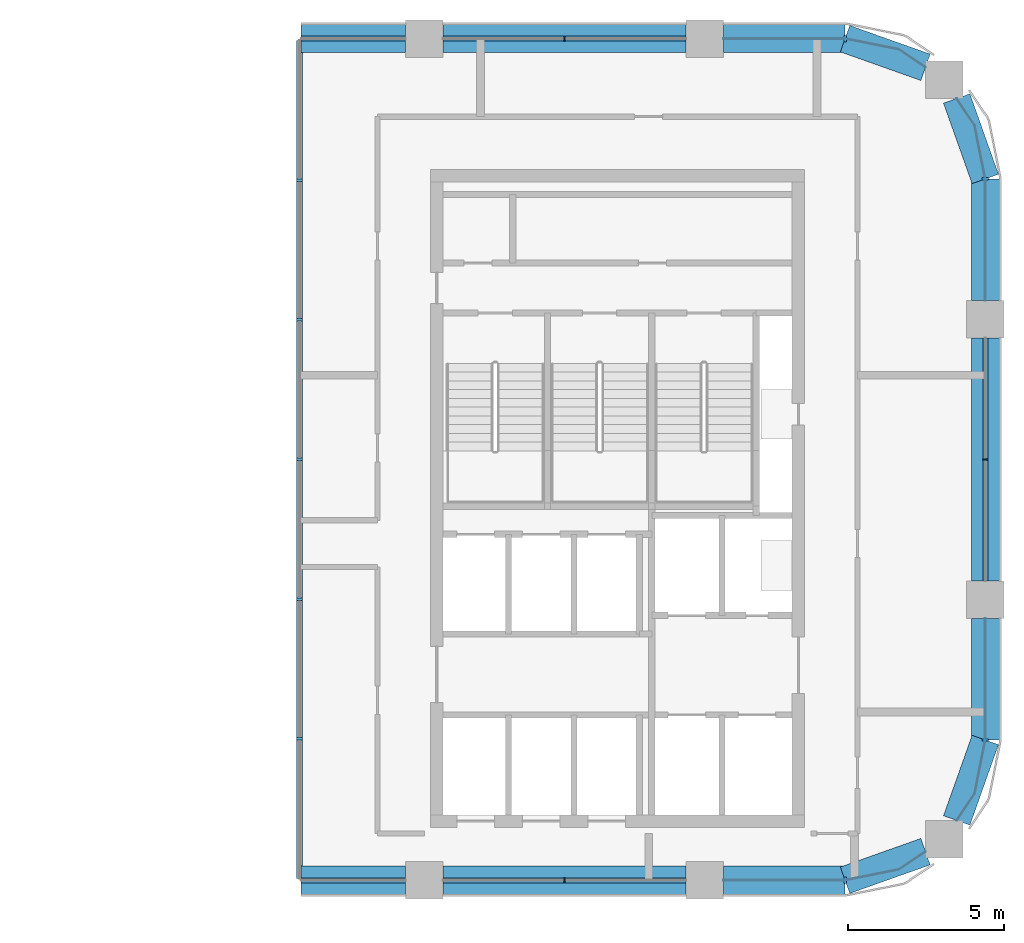
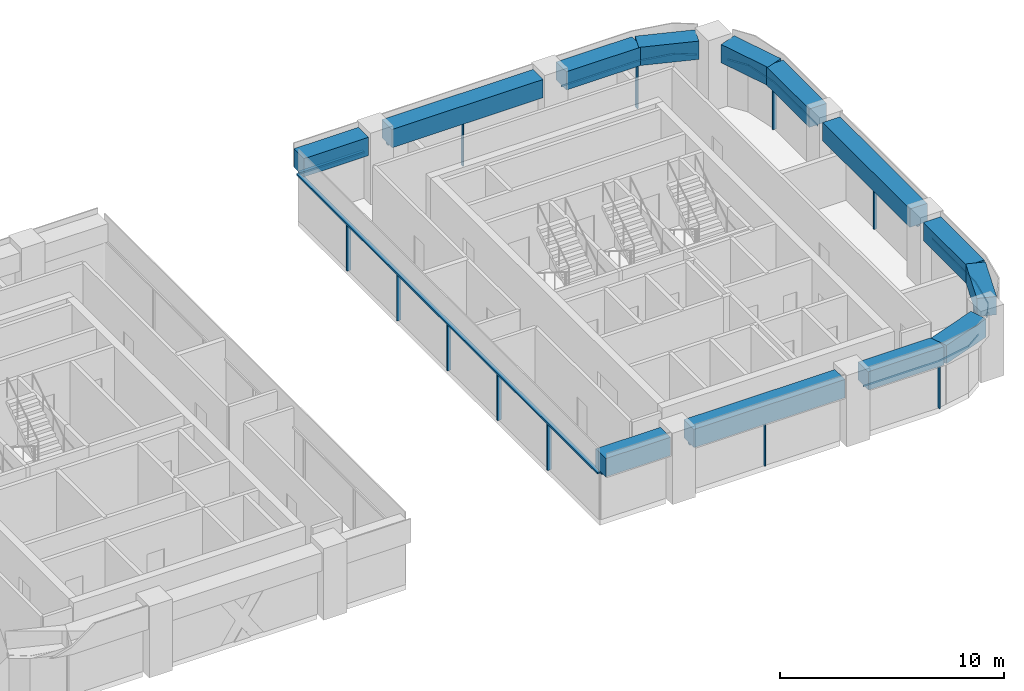
# One storey, part 3 of 12: 22 members, 13 beams, 10 elements without a shape of their own.
"""IFC4 building model written with IfcOpenShell, lengths in metres."""

import ifcopenshell
import ifcopenshell.guid

model = None  # the IFC model being written
_history = None  # IfcOwnerHistory: only IFC2X3 demands one
_inside = {}  # id of a spatial element -> (the spatial element, [elements in it])
_under = {}  # id of a project, library or spatial element -> (it, [spatial elements below it])
_declared = {}  # id of a project -> (the project, [libraries it declares])
_typed = {}  # id of a type object -> (the type object, [elements of that type])
_made_of = {}  # id of a material, layer set ... -> (it, [elements and type objects made of it])


def new_model(schema):
    """Start an empty IFC model of exactly this schema.

    Asked for "IFC4X3", IfcOpenShell would pick the latest addendum, in which some entities
    have other attributes; the version numbers below select the first issue.
    IFC2X3 requires an IfcOwnerHistory on every rooted entity: one is made here for all.
    """
    global model, _history
    if schema == "IFC4X3":
        model = ifcopenshell.file(schema_version=(4, 3, 0, 0))
    else:
        model = ifcopenshell.file(schema=schema)
    _inside.clear()
    _under.clear()
    _declared.clear()
    _typed.clear()
    _made_of.clear()
    _history = None
    if model.schema == "IFC2X3":
        org = make("IfcOrganization", Name="unknown")
        user = make(
            "IfcPersonAndOrganization",
            ThePerson=make("IfcPerson", FamilyName="unknown"),
            TheOrganization=org,
        )
        app = make(
            "IfcApplication",
            ApplicationDeveloper=org,
            Version="unknown",
            ApplicationFullName="unknown",
            ApplicationIdentifier="unknown",
        )
        _history = make(
            "IfcOwnerHistory",
            OwningUser=user,
            OwningApplication=app,
            ChangeAction="ADDED",
            CreationDate=0,
        )
    return model


def make(cls, **values):
    """One entity of the class cls with the attributes given. An attribute that is None is left unset."""
    return model.create_entity(
        cls, **{name: value for name, value in values.items() if value is not None}
    )


def rooted(cls, **values):
    """An entity with a GlobalId (a new one), such as an element, a storey or a relation."""
    return make(cls, GlobalId=ifcopenshell.guid.new(), OwnerHistory=_history, **values)


def si_unit(unit_type, name, prefix=None):
    """IfcSIUnit, for example si_unit("LENGTHUNIT", "METRE", prefix="MILLI")."""
    return make("IfcSIUnit", UnitType=unit_type, Prefix=prefix, Name=name)


def assignment(units):
    """IfcUnitAssignment: the units of a project."""
    return None if units is None else make("IfcUnitAssignment", Units=units)


def point(xyz):
    """IfcCartesianPoint."""
    return None if xyz is None else make("IfcCartesianPoint", Coordinates=xyz)


def direction(xyz):
    """IfcDirection."""
    return None if xyz is None else make("IfcDirection", DirectionRatios=xyz)


def frame(location, z_axis=None, x_axis=None):
    """IfcAxis2Placement3D, a coordinate frame: its origin and axes. An axis left out is left unset."""
    return make(
        "IfcAxis2Placement3D",
        Location=point(location),
        Axis=direction(z_axis),
        RefDirection=direction(x_axis),
    )


def frame_2d(location, x_axis=None):
    """IfcAxis2Placement2D, a coordinate frame in the plane: its origin and x axis."""
    return make(
        "IfcAxis2Placement2D", Location=point(location), RefDirection=direction(x_axis)
    )


def origin():
    """The frame at (0, 0, 0) with its axes left unset."""
    return frame((0.0, 0.0, 0.0))


def origin_2d():
    """The frame at (0, 0) in the plane with its x axis left unset."""
    return frame_2d((0.0, 0.0))


def place(relative_to, where):
    """IfcLocalPlacement: puts the frame where relative to a parent placement (None: the world)."""
    return make(
        "IfcLocalPlacement", PlacementRelTo=relative_to, RelativePlacement=where
    )


def context(
    kind, dimensions, precision=None, world=None, true_north=None, identifier=None
):
    """IfcGeometricRepresentationContext, for example the 3D "Model" context."""
    return make(
        "IfcGeometricRepresentationContext",
        ContextIdentifier=identifier,
        ContextType=kind,
        CoordinateSpaceDimension=dimensions,
        Precision=precision,
        WorldCoordinateSystem=world,
        TrueNorth=true_north,
    )


def subcontext(parent, identifier, kind, view, scale=None):
    """IfcGeometricRepresentationSubContext, for example "Body" below "Model"."""
    return make(
        "IfcGeometricRepresentationSubContext",
        ContextIdentifier=identifier,
        ContextType=kind,
        ParentContext=parent,
        TargetScale=scale,
        TargetView=view,
    )


def project(units=None, contexts=None):
    """IfcProject with its units and contexts."""
    return rooted(
        "IfcProject",
        Name="project",
        RepresentationContexts=contexts,
        UnitsInContext=assignment(units),
    )


def spatial(cls, under=None, at=None, **own):
    """A site, building, storey or space (cls), placed at a placement, below another one or the project."""
    s = rooted(cls, ObjectPlacement=at, **own)
    if under is not None:
        _under.setdefault(under.id(), (under, []))[1].append(s)
    return s


def polyline(points):
    """IfcPolyline through the points."""
    return make("IfcPolyline", Points=[point(p) for p in points])


def profile(cls, at=None, kind="AREA", **sizes):
    """A parametric profile (cls). Its sizes go by their IFC names, for example OverallWidth=200.0."""
    return make(cls, ProfileType=kind, Position=at, **sizes)


def rectangle(**sizes):
    """IfcRectangleProfileDef."""
    return profile("IfcRectangleProfileDef", **sizes)


def outline(outer, holes=None, kind="AREA"):
    """IfcArbitraryClosedProfileDef: a profile drawn as a closed curve; with holes, ...WithVoids."""
    if holes is None:
        return make("IfcArbitraryClosedProfileDef", ProfileType=kind, OuterCurve=outer)
    return make(
        "IfcArbitraryProfileDefWithVoids",
        ProfileType=kind,
        OuterCurve=outer,
        InnerCurves=holes,
    )


def extrude(swept, where, along, depth):
    """IfcExtrudedAreaSolid: the profile swept, set in the frame where, extruded along a direction by depth."""
    return make(
        "IfcExtrudedAreaSolid",
        SweptArea=swept,
        Position=where,
        ExtrudedDirection=direction(along),
        Depth=depth,
    )


def shape(context_of_items, identifier, shape_type, items):
    """IfcShapeRepresentation: the items that make up one representation, for example the "Body"."""
    return make(
        "IfcShapeRepresentation",
        ContextOfItems=context_of_items,
        RepresentationIdentifier=identifier,
        RepresentationType=shape_type,
        Items=items,
    )


def material(Name=None, Category=None):
    """IfcMaterial."""
    return make("IfcMaterial", Name=Name, Category=Category)


def material_profile(
    of_material, cross_section, Name=None, Category=None, Priority=None
):
    """IfcMaterialProfile: a cross section and its material."""
    return make(
        "IfcMaterialProfile",
        Name=Name,
        Material=of_material,
        Profile=cross_section,
        Priority=Priority,
        Category=Category,
    )


def profile_set(profiles, Name=None, composite=None):
    """IfcMaterialProfileSet."""
    return make(
        "IfcMaterialProfileSet",
        Name=Name,
        MaterialProfiles=profiles,
        CompositeProfile=composite,
    )


def made_of(thing, what):
    """Note that an element or type object is made of a material, layer set ...; save() writes the relation."""
    if what is not None:
        _made_of.setdefault(what.id(), (what, []))[1].append(thing)
    return thing


def type_object(cls, material=None, **own):
    """A type object (cls), such as IfcWallType, which elements share."""
    return made_of(rooted(cls, **own), material)


def element(
    cls,
    number,
    at=None,
    inside=None,
    cuts=None,
    type_object=None,
    material=None,
    context=None,
    identifier="Body",
    shape_type=None,
    held_by="IfcProductDefinitionShape",
    body=None,
    shapes=None,
    **own,
):
    """One element of the class cls, such as IfcWall. Its Tag is "e" and its number.

    at: its placement. inside: the storey or other place that contains it. cuts: it is an
    opening in that element (IfcRelVoidsElement). A single representation is given by context,
    identifier, shape_type and body (its items); several are given by shapes. held_by: the class
    of the entity that holds the representations. save() writes the other relations.
    """
    e = rooted(cls, Tag="e%d" % number, ObjectPlacement=at, **own)
    if body is not None:
        shapes = [shape(context, identifier, shape_type, body)]
    if shapes is not None:
        e.Representation = make(held_by, Representations=shapes)
    if inside is not None:
        _inside.setdefault(inside.id(), (inside, []))[1].append(e)
    if cuts is not None:
        rooted(
            "IfcRelVoidsElement", RelatingBuildingElement=cuts, RelatedOpeningElement=e
        )
    if type_object is not None:
        _typed.setdefault(type_object.id(), (type_object, []))[1].append(e)
    return made_of(e, material)


def aggregate(whole, parts):
    """IfcRelAggregates: a whole, such as a stair, and the parts it consists of."""
    return rooted("IfcRelAggregates", RelatingObject=whole, RelatedObjects=parts)


def save(model, path):
    """Write the relations noted so far, then the file.

    IfcRelAggregates (storeys below a building ...), IfcRelContainedInSpatialStructure (elements
    in a storey), IfcRelDefinesByType, IfcRelAssociatesMaterial and IfcRelDeclares: one each for
    every whole, place, type object, material and project.
    """
    for whole, parts in _under.values():
        aggregate(whole, parts)
    for where, things in _inside.values():
        rooted(
            "IfcRelContainedInSpatialStructure",
            RelatedElements=things,
            RelatingStructure=where,
        )
    for kind, things in _typed.values():
        rooted("IfcRelDefinesByType", RelatedObjects=things, RelatingType=kind)
    for what, things in _made_of.values():
        rooted("IfcRelAssociatesMaterial", RelatedObjects=things, RelatingMaterial=what)
    for by, libraries in _declared.values():
        rooted("IfcRelDeclares", RelatingContext=by, RelatedDefinitions=libraries)
    model.write(path)


model = new_model("IFC4")

# Units and contexts
model_context = context("Model", 3, precision=1e-05, world=origin(), true_north=direction((0.0, 1.0)))
body_context = subcontext(model_context, "Body", "Model", "MODEL_VIEW")
ifc_project = project(units=[si_unit("LENGTHUNIT", "METRE"), si_unit("AREAUNIT", "SQUARE_METRE"), si_unit("VOLUMEUNIT", "CUBIC_METRE"), si_unit("PLANEANGLEUNIT", "RADIAN"), si_unit("MASSUNIT", "GRAM", prefix="KILO")], contexts=[model_context])

# Site, building, storey
site_placement = place(None, origin())
site = spatial("IfcSite", under=ifc_project, at=site_placement, CompositionType="ELEMENT")
building_placement = place(site_placement, origin())
building = spatial("IfcBuilding", under=site, at=building_placement, Name="Tessera Arch", CompositionType="ELEMENT")
storey_placement = place(building_placement, frame((0.0, 0.0, 207.199951171875)))
storey = spatial("IfcBuildingStorey", under=building, at=storey_placement, Name="L49", CompositionType="ELEMENT", Elevation=207.199951171875)

# Curtain wall, member
ifc_material_1 = material(Name="CW1 curtain wall")
curtain_wall_type_1 = type_object("IfcCurtainWallType", Name="CW1 curtain wall", PredefinedType="NOTDEFINED", material=ifc_material_1)
curtain_wall_1_placement = place(storey_placement, origin())
curtain_wall_1 = element("IfcCurtainWall", 1, at=curtain_wall_1_placement, inside=storey, type_object=curtain_wall_type_1, Name="CW1 curtain wall S27.32/1 L49", PredefinedType="NOTDEFINED")
ifc_material_2 = material(Name="Anodised aluminium pale metal", Category="aluminium")
ifc_material_profile_1 = material_profile(ifc_material_2, rectangle(XDim=0.159912109375, YDim=0.06005859375, at=origin_2d()), Name="AL 60x160")
ifc_profile_set_1 = profile_set([ifc_material_profile_1], Name="Anodised aluminium pale metal")
member_type_1 = type_object("IfcMemberType", Name="CW1 mullion", PredefinedType="MULLION", material=ifc_profile_set_1)
member_1_placement = place(storey_placement, frame((40.5, 27.0, 0.0), z_axis=(0.0, 0.0, 1.0), x_axis=(0.0, 1.0, 0.0)))
member_1 = element("IfcMember", 2, at=member_1_placement, type_object=member_type_1, Name="CW1 mullion S27.32/1 1", PredefinedType="MULLION", context=body_context, shape_type="SweptSolid", body=[
    extrude(rectangle(XDim=0.159912109375, YDim=0.06005859375, at=origin_2d()), origin(), (0.0, 0.0, 1.0), 2.5),
])

curtain_wall_2_placement = place(storey_placement, origin())
curtain_wall_2 = element("IfcCurtainWall", 3, at=curtain_wall_2_placement, inside=storey, type_object=curtain_wall_type_1, Name="CW1 curtain wall E54.27/1 L49", PredefinedType="NOTDEFINED")
member_2_placement = place(storey_placement, frame((54.0, 40.5, 0.0), z_axis=(0.0, 0.0, 1.0), x_axis=(-1.0, 0.0, 0.0)))
member_2 = element("IfcMember", 4, at=member_2_placement, type_object=member_type_1, Name="CW1 mullion E54.27/1 1", PredefinedType="MULLION", context=body_context, shape_type="SweptSolid", body=[
    extrude(rectangle(XDim=0.159912109375, YDim=0.06005859375, at=origin_2d()), origin(), (0.0, 0.0, 1.0), 2.5),
])

curtain_wall_3_placement = place(storey_placement, origin())
curtain_wall_3 = element("IfcCurtainWall", 5, at=curtain_wall_3_placement, inside=storey, type_object=curtain_wall_type_1, Name="CW1 curtain wall N54.32/1 L49", PredefinedType="NOTDEFINED")
member_3_placement = place(storey_placement, frame((40.5, 54.0, 0.0), z_axis=(0.0, 0.0, 1.0), x_axis=(0.0, -1.0, 0.0)))
member_3 = element("IfcMember", 6, at=member_3_placement, type_object=member_type_1, Name="CW1 mullion N54.32/1 1", PredefinedType="MULLION", context=body_context, shape_type="SweptSolid", body=[
    extrude(rectangle(XDim=0.159912109375, YDim=0.06005859375, at=origin_2d()), origin(), (0.0, 0.0, 1.0), 2.5),
])

curtain_wall_4_placement = place(storey_placement, origin())
curtain_wall_4 = element("IfcCurtainWall", 7, at=curtain_wall_4_placement, inside=storey, type_object=curtain_wall_type_1, Name="CW1 curtain wall S27.32/0 L49", PredefinedType="NOTDEFINED")
ifc_material_3 = material(Name="Anodised aluminium pale metal", Category="aluminium")
ifc_material_profile_2 = material_profile(ifc_material_3, rectangle(XDim=0.159912109375, YDim=0.10009765625, at=origin_2d()), Name="AL 160x100")
ifc_profile_set_2 = profile_set([ifc_material_profile_2], Name="Anodised aluminium pale metal")
member_type_2 = type_object("IfcMemberType", Name="CW1 transom", PredefinedType="USERDEFINED", material=ifc_profile_set_2)
member_4_placement = place(storey_placement, frame((32.050048828125, 27.0, 2.550048828125), z_axis=(1.0, 0.0, 0.0), x_axis=(0.0, 1.0, 0.0)))
member_4 = element("IfcMember", 8, at=member_4_placement, type_object=member_type_2, Name="CW1 transom S27.32/0 1.1", ObjectType="TRANSOM", PredefinedType="USERDEFINED", context=body_context, shape_type="SweptSolid", body=[
    extrude(rectangle(XDim=0.159912109375, YDim=0.10009765625, at=origin_2d()), origin(), (0.0, 0.0, 1.0), 3.349853515625),
])
aggregate(curtain_wall_4, [member_4])

# Member
member_5_placement = place(storey_placement, frame((36.60009765625, 27.0, 2.550048828125), z_axis=(1.0, 0.0, 0.0), x_axis=(0.0, 1.0, 0.0)))
member_5 = element("IfcMember", 9, at=member_5_placement, type_object=member_type_2, Name="CW1 transom S27.32/1 1.1", ObjectType="TRANSOM", PredefinedType="USERDEFINED", context=body_context, shape_type="SweptSolid", body=[
    extrude(rectangle(XDim=0.159912109375, YDim=0.10009765625, at=origin_2d()), origin(), (0.0, 0.0, 1.0), 7.7998046875),
])

aggregate(curtain_wall_1, [member_1, member_5])

member_6_placement = place(storey_placement, frame((54.0, 36.60009765625, 2.550048828125), z_axis=(0.0, 1.0, 0.0), x_axis=(-1.0, 0.0, 0.0)))
member_6 = element("IfcMember", 10, at=member_6_placement, type_object=member_type_2, Name="CW1 transom E54.27/1 1.1", ObjectType="TRANSOM", PredefinedType="USERDEFINED", context=body_context, shape_type="SweptSolid", body=[
    extrude(rectangle(XDim=0.159912109375, YDim=0.10009765625, at=origin_2d()), origin(), (0.0, 0.0, 1.0), 7.7998046875),
])

aggregate(curtain_wall_2, [member_2, member_6])

member_7_placement = place(storey_placement, frame((44.39990234375, 54.0, 2.550048828125), z_axis=(-1.0, 0.0, 0.0), x_axis=(0.0, -1.0, 0.0)))
member_7 = element("IfcMember", 11, at=member_7_placement, type_object=member_type_2, Name="CW1 transom N54.32/1 1.1", ObjectType="TRANSOM", PredefinedType="USERDEFINED", context=body_context, shape_type="SweptSolid", body=[
    extrude(rectangle(XDim=0.159912109375, YDim=0.10009765625, at=origin_2d()), origin(), (0.0, 0.0, 1.0), 7.7998046875),
])

aggregate(curtain_wall_3, [member_3, member_7])

# Curtain wall, member
curtain_wall_5_placement = place(storey_placement, origin())
curtain_wall_5 = element("IfcCurtainWall", 12, at=curtain_wall_5_placement, inside=storey, type_object=curtain_wall_type_1, Name="CW1 curtain wall N54.32/2 L49", PredefinedType="NOTDEFINED")
member_8_placement = place(storey_placement, frame((35.39990234375, 54.0, 2.550048828125), z_axis=(-1.0, 0.0, 0.0), x_axis=(0.0, -1.0, 0.0)))
member_8 = element("IfcMember", 13, at=member_8_placement, type_object=member_type_2, Name="CW1 transom N54.32/2 1.1", ObjectType="TRANSOM", PredefinedType="USERDEFINED", context=body_context, shape_type="SweptSolid", body=[
    extrude(rectangle(XDim=0.159912109375, YDim=0.10009765625, at=origin_2d()), origin(), (0.0, 0.0, 1.0), 3.349853515625),
])
aggregate(curtain_wall_5, [member_8])

ifc_material_4 = material(Name="CW2 curtain wall")
curtain_wall_type_2 = type_object("IfcCurtainWallType", Name="CW2 curtain wall", PredefinedType="NOTDEFINED", material=ifc_material_4)
curtain_wall_6_placement = place(storey_placement, origin())
curtain_wall_6 = element("IfcCurtainWall", 14, at=curtain_wall_6_placement, inside=storey, type_object=curtain_wall_type_2, Name="CW2 curtain wall S27.32/2 L49", PredefinedType="NOTDEFINED")
ifc_material_5 = material(Name="Anodised aluminium pale metal", Category="aluminium")
ifc_material_profile_3 = material_profile(ifc_material_5, rectangle(XDim=0.199951171875, YDim=0.080078125, at=origin_2d()), Name="AL 80x200")
ifc_profile_set_3 = profile_set([ifc_material_profile_3], Name="Anodised aluminium pale metal")
member_type_3 = type_object("IfcMemberType", Name="CW2 mullion", PredefinedType="MULLION", material=ifc_profile_set_3)
member_9_placement = place(storey_placement, frame((49.5, 27.0, 0.0), z_axis=(0.0, 0.0, 1.0), x_axis=(0.0, 1.0, 0.0)))
member_9 = element("IfcMember", 15, at=member_9_placement, type_object=member_type_3, Name="CW2 mullion S27.32/2 1", PredefinedType="MULLION", context=body_context, shape_type="SweptSolid", body=[
    extrude(rectangle(XDim=0.199951171875, YDim=0.080078125, at=origin_2d()), origin(), (0.0, 0.0, 1.0), 2.5),
])

curtain_wall_7_placement = place(storey_placement, origin())
curtain_wall_7 = element("IfcCurtainWall", 16, at=curtain_wall_7_placement, inside=storey, type_object=curtain_wall_type_2, Name="CW2 curtain wall E54.27/0 L49", PredefinedType="NOTDEFINED")
member_10_placement = place(storey_placement, frame((54.0, 31.5, 0.0), z_axis=(0.0, 0.0, 1.0), x_axis=(-1.0, 0.0, 0.0)))
member_10 = element("IfcMember", 17, at=member_10_placement, type_object=member_type_3, Name="CW2 mullion E54.27/0 1", PredefinedType="MULLION", context=body_context, shape_type="SweptSolid", body=[
    extrude(rectangle(XDim=0.199951171875, YDim=0.080078125, at=origin_2d()), origin(), (0.0, 0.0, 1.0), 2.5),
])

curtain_wall_8_placement = place(storey_placement, origin())
curtain_wall_8 = element("IfcCurtainWall", 18, at=curtain_wall_8_placement, inside=storey, type_object=curtain_wall_type_2, Name="CW2 curtain wall E54.27/2 L49", PredefinedType="NOTDEFINED")
member_11_placement = place(storey_placement, frame((54.0, 49.5, 0.0), z_axis=(0.0, 0.0, 1.0), x_axis=(-1.0, 0.0, 0.0)))
member_11 = element("IfcMember", 19, at=member_11_placement, type_object=member_type_3, Name="CW2 mullion E54.27/2 1", PredefinedType="MULLION", context=body_context, shape_type="SweptSolid", body=[
    extrude(rectangle(XDim=0.199951171875, YDim=0.080078125, at=origin_2d()), origin(), (0.0, 0.0, 1.0), 2.5),
])

curtain_wall_9_placement = place(storey_placement, origin())
curtain_wall_9 = element("IfcCurtainWall", 20, at=curtain_wall_9_placement, inside=storey, type_object=curtain_wall_type_2, Name="CW2 curtain wall N54.32/0 L49", PredefinedType="NOTDEFINED")
member_12_placement = place(storey_placement, frame((49.5, 54.0, 0.0), z_axis=(0.0, 0.0, 1.0), x_axis=(0.0, -1.0, 0.0)))
member_12 = element("IfcMember", 21, at=member_12_placement, type_object=member_type_3, Name="CW2 mullion N54.32/0 1", PredefinedType="MULLION", context=body_context, shape_type="SweptSolid", body=[
    extrude(rectangle(XDim=0.199951171875, YDim=0.080078125, at=origin_2d()), origin(), (0.0, 0.0, 1.0), 2.5),
])

# Member
ifc_material_6 = material(Name="Anodised aluminium pale metal", Category="aluminium")
ifc_material_profile_4 = material_profile(ifc_material_6, rectangle(XDim=0.199951171875, YDim=0.10009765625, at=origin_2d()), Name="AL 200x100")
ifc_profile_set_4 = profile_set([ifc_material_profile_4], Name="Anodised aluminium pale metal")
member_type_4 = type_object("IfcMemberType", Name="CW2 transom", PredefinedType="USERDEFINED", material=ifc_profile_set_4)
member_13_placement = place(storey_placement, frame((0.0, 0.0, 2.5)))
member_13 = element("IfcMember", 22, at=member_13_placement, type_object=member_type_4, Name="CW2 transom S27.32/2 1", ObjectType="TRANSOM", PredefinedType="USERDEFINED", context=body_context, shape_type="SweptSolid", body=[
    extrude(outline(polyline([(49.4990234375, 27.010009765625), (45.60009765625, 27.010009765625), (45.60009765625, 26.989990234375), (49.5009765625, 26.989990234375), (51.22607421875, 27.3330078125), (52.087646484375, 27.90869140625), (52.076416015625, 27.92529296875), (51.21826171875, 27.351806640625), (49.4990234375, 27.010009765625)])), origin(), (0.0, 0.0, 1.0), 0.10009765625),
])

aggregate(curtain_wall_6, [member_9, member_13])

member_14_placement = place(storey_placement, frame((0.0, 0.0, 2.5)))
member_14 = element("IfcMember", 23, at=member_14_placement, type_object=member_type_4, Name="CW2 transom E54.27/0 1", ObjectType="TRANSOM", PredefinedType="USERDEFINED", context=body_context, shape_type="SweptSolid", body=[
    extrude(outline(polyline([(53.648193359375, 29.78173828125), (53.07470703125, 28.923583984375), (53.09130859375, 28.912353515625), (53.6669921875, 29.77392578125), (54.010009765625, 31.4990234375), (54.010009765625, 35.39990234375), (53.989990234375, 35.39990234375), (53.989990234375, 31.5009765625), (53.648193359375, 29.78173828125)])), origin(), (0.0, 0.0, 1.0), 0.10009765625),
])

aggregate(curtain_wall_7, [member_10, member_14])

member_15_placement = place(storey_placement, frame((0.0, 0.0, 2.5)))
member_15 = element("IfcMember", 24, at=member_15_placement, type_object=member_type_4, Name="CW2 transom E54.27/2 1", ObjectType="TRANSOM", PredefinedType="USERDEFINED", context=body_context, shape_type="SweptSolid", body=[
    extrude(outline(polyline([(53.989990234375, 49.4990234375), (53.989990234375, 45.60009765625), (54.010009765625, 45.60009765625), (54.010009765625, 49.5009765625), (53.6669921875, 51.22607421875), (53.09130859375, 52.087646484375), (53.07470703125, 52.076416015625), (53.648193359375, 51.21826171875), (53.989990234375, 49.4990234375)])), origin(), (0.0, 0.0, 1.0), 0.10009765625),
])

aggregate(curtain_wall_8, [member_11, member_15])

member_16_placement = place(storey_placement, frame((0.0, 0.0, 2.5)))
member_16 = element("IfcMember", 25, at=member_16_placement, type_object=member_type_4, Name="CW2 transom N54.32/0 1", ObjectType="TRANSOM", PredefinedType="USERDEFINED", context=body_context, shape_type="SweptSolid", body=[
    extrude(outline(polyline([(51.21826171875, 53.648193359375), (52.076416015625, 53.07470703125), (52.087646484375, 53.09130859375), (51.22607421875, 53.6669921875), (49.5009765625, 54.010009765625), (45.60009765625, 54.010009765625), (45.60009765625, 53.989990234375), (49.4990234375, 53.989990234375), (51.21826171875, 53.648193359375)])), origin(), (0.0, 0.0, 1.0), 0.10009765625),
])

aggregate(curtain_wall_9, [member_12, member_16])

# Curtain wall, members
ifc_material_7 = material(Name="CW5 curtain wall")
curtain_wall_type_3 = type_object("IfcCurtainWallType", Name="CW5 curtain wall", PredefinedType="NOTDEFINED", material=ifc_material_7)
curtain_wall_10_placement = place(storey_placement, origin())
curtain_wall_10 = element("IfcCurtainWall", 26, at=curtain_wall_10_placement, inside=storey, type_object=curtain_wall_type_3, Name="CW5 curtain wall W32.27/0 L49", PredefinedType="NOTDEFINED")
ifc_material_8 = material(Name="Anodised aluminium pale metal", Category="aluminium")
ifc_material_profile_5 = material_profile(ifc_material_8, rectangle(XDim=0.199951171875, YDim=0.080078125, at=origin_2d()), Name="AL 80x200")
ifc_profile_set_5 = profile_set([ifc_material_profile_5], Name="Anodised aluminium pale metal")
member_type_5 = type_object("IfcMemberType", Name="CW5 mullion", PredefinedType="MULLION", material=ifc_profile_set_5)
member_17_placement = place(storey_placement, frame((32.0, 49.466552734375, 0.0), z_axis=(0.0, 0.0, 1.0), x_axis=(1.0, 0.0, 0.0)))
member_17 = element("IfcMember", 27, at=member_17_placement, type_object=member_type_5, Name="CW5 mullion W32.27/0 1", PredefinedType="MULLION", context=body_context, shape_type="SweptSolid", body=[
    extrude(rectangle(XDim=0.199951171875, YDim=0.080078125, at=origin_2d()), origin(), (0.0, 0.0, 1.0), 2.5),
])
member_18_placement = place(storey_placement, frame((32.0, 44.9833984375, 0.0), z_axis=(0.0, 0.0, 1.0), x_axis=(1.0, 0.0, 0.0)))
member_18 = element("IfcMember", 28, at=member_18_placement, type_object=member_type_5, Name="CW5 mullion W32.27/0 2", PredefinedType="MULLION", context=body_context, shape_type="SweptSolid", body=[
    extrude(rectangle(XDim=0.199951171875, YDim=0.080078125, at=origin_2d()), origin(), (0.0, 0.0, 1.0), 2.5),
])
member_19_placement = place(storey_placement, frame((32.0, 40.5, 0.0), z_axis=(0.0, 0.0, 1.0), x_axis=(1.0, 0.0, 0.0)))
member_19 = element("IfcMember", 29, at=member_19_placement, type_object=member_type_5, Name="CW5 mullion W32.27/0 3", PredefinedType="MULLION", context=body_context, shape_type="SweptSolid", body=[
    extrude(rectangle(XDim=0.199951171875, YDim=0.080078125, at=origin_2d()), origin(), (0.0, 0.0, 1.0), 2.5),
])
member_20_placement = place(storey_placement, frame((32.0, 36.0166015625, 0.0), z_axis=(0.0, 0.0, 1.0), x_axis=(1.0, 0.0, 0.0)))
member_20 = element("IfcMember", 30, at=member_20_placement, type_object=member_type_5, Name="CW5 mullion W32.27/0 4", PredefinedType="MULLION", context=body_context, shape_type="SweptSolid", body=[
    extrude(rectangle(XDim=0.199951171875, YDim=0.080078125, at=origin_2d()), origin(), (0.0, 0.0, 1.0), 2.5),
])
member_21_placement = place(storey_placement, frame((32.0, 31.533447265625, 0.0), z_axis=(0.0, 0.0, 1.0), x_axis=(1.0, 0.0, 0.0)))
member_21 = element("IfcMember", 31, at=member_21_placement, type_object=member_type_5, Name="CW5 mullion W32.27/0 5", PredefinedType="MULLION", context=body_context, shape_type="SweptSolid", body=[
    extrude(rectangle(XDim=0.199951171875, YDim=0.080078125, at=origin_2d()), origin(), (0.0, 0.0, 1.0), 2.5),
])
ifc_material_9 = material(Name="Anodised aluminium pale metal", Category="aluminium")
ifc_material_profile_6 = material_profile(ifc_material_9, rectangle(XDim=0.199951171875, YDim=0.10009765625, at=origin_2d()), Name="AL 200x100")
ifc_profile_set_6 = profile_set([ifc_material_profile_6], Name="Anodised aluminium pale metal")
member_type_6 = type_object("IfcMemberType", Name="CW5 transom", PredefinedType="USERDEFINED", material=ifc_profile_set_6)
member_22_placement = place(storey_placement, frame((32.0, 53.949951171875, 2.550048828125), z_axis=(0.0, -1.0, 0.0), x_axis=(1.0, 0.0, 0.0)))
member_22 = element("IfcMember", 32, at=member_22_placement, type_object=member_type_6, Name="CW5 transom W32.27/0 1.1", ObjectType="TRANSOM", PredefinedType="USERDEFINED", context=body_context, shape_type="SweptSolid", body=[
    extrude(rectangle(XDim=0.199951171875, YDim=0.10009765625, at=origin_2d()), origin(), (0.0, 0.0, 1.0), 26.89990234375),
])
aggregate(curtain_wall_10, [member_17, member_18, member_19, member_20, member_21, member_22])

# Beams
ifc_material_10 = material(Name="Concrete C60/75", Category="concrete")
ifc_material_profile_7 = material_profile(ifc_material_10, rectangle(XDim=0.89990234375, YDim=1.0, at=origin_2d()), Name="RC spandrel beam 900 x 1000 Concrete C60/75")
ifc_profile_set_7 = profile_set([ifc_material_profile_7], Name="Concrete C60/75")
beam_type = type_object("IfcBeamType", Name="RC spandrel beam 900 x 1000 Concrete C60/75", PredefinedType="BEAM", material=ifc_profile_set_7)
beam_1_placement = place(storey_placement, frame((32.050048828125, 27.0, 3.10009765625), z_axis=(1.0, 0.0, 0.0), x_axis=(0.0, 1.0, 0.0)))
element("IfcBeam", 33, at=beam_1_placement, inside=storey, type_object=beam_type, Name="Spandrel beam L49 S27.32/0", PredefinedType="BEAM", context=body_context, shape_type="SweptSolid", body=[
    extrude(rectangle(XDim=0.89990234375, YDim=1.0, at=origin_2d()), origin(), (0.0, 0.0, 1.0), 3.349853515625),
])
beam_2_placement = place(storey_placement, frame((36.60009765625, 27.0, 3.10009765625), z_axis=(1.0, 0.0, 0.0), x_axis=(0.0, 1.0, 0.0)))
element("IfcBeam", 34, at=beam_2_placement, inside=storey, type_object=beam_type, Name="Spandrel beam L49 S27.32/1", PredefinedType="BEAM", context=body_context, shape_type="SweptSolid", body=[
    extrude(rectangle(XDim=0.89990234375, YDim=1.0, at=origin_2d()), origin(), (0.0, 0.0, 1.0), 7.7998046875),
])
beam_3_placement = place(storey_placement, frame((45.60009765625, 27.0, 3.10009765625), z_axis=(1.0, 0.0, 0.0), x_axis=(0.0, 1.0, 0.0)))
element("IfcBeam", 35, at=beam_3_placement, inside=storey, type_object=beam_type, Name="Spandrel beam L49 S27.32/2.1", PredefinedType="BEAM", context=body_context, shape_type="SweptSolid", body=[
    extrude(rectangle(XDim=0.89990234375, YDim=1.0, at=origin_2d()), origin(), (0.0, 0.0, 1.0), 3.89990234375),
])
for number, where, z_axis, x_axis, name in (
    (36, (49.5, 27.0, 3.10009765625), (0.942337127159, 0.334665114373, 0.0), (-0.334665114373, 0.942337127159, 0.0), "Spandrel beam L49 S27.32/2.2"),
    (37, (53.0830078125, 28.91796875, 3.10009765625), (0.334665114373, 0.942337127159, 0.0), (-0.942337127159, 0.334665114373, 0.0), "Spandrel beam L49 E54.27/0.1"),
):
    element("IfcBeam", number, at=place(storey_placement, frame(where, z_axis=z_axis, x_axis=x_axis)), inside=storey, type_object=beam_type, Name=name, PredefinedType="BEAM", context=body_context, shape_type="SweptSolid", body=[
        extrude(rectangle(XDim=0.89990234375, YDim=1.0, at=origin_2d()), origin(), (0.0, 0.0, 1.0), 2.739990234375),
    ])
beam_4_placement = place(storey_placement, frame((54.0, 31.5, 3.10009765625), z_axis=(0.0, 1.0, 0.0), x_axis=(-1.0, 0.0, 0.0)))
element("IfcBeam", 38, at=beam_4_placement, inside=storey, type_object=beam_type, Name="Spandrel beam L49 E54.27/0.2", PredefinedType="BEAM", context=body_context, shape_type="SweptSolid", body=[
    extrude(rectangle(XDim=0.89990234375, YDim=1.0, at=origin_2d()), origin(), (0.0, 0.0, 1.0), 3.89990234375),
])
beam_5_placement = place(storey_placement, frame((54.0, 36.60009765625, 3.10009765625), z_axis=(0.0, 1.0, 0.0), x_axis=(-1.0, 0.0, 0.0)))
element("IfcBeam", 39, at=beam_5_placement, inside=storey, type_object=beam_type, Name="Spandrel beam L49 E54.27/1", PredefinedType="BEAM", context=body_context, shape_type="SweptSolid", body=[
    extrude(rectangle(XDim=0.89990234375, YDim=1.0, at=origin_2d()), origin(), (0.0, 0.0, 1.0), 7.7998046875),
])
beam_6_placement = place(storey_placement, frame((54.0, 45.60009765625, 3.10009765625), z_axis=(0.0, 1.0, 0.0), x_axis=(-1.0, 0.0, 0.0)))
element("IfcBeam", 40, at=beam_6_placement, inside=storey, type_object=beam_type, Name="Spandrel beam L49 E54.27/2.1", PredefinedType="BEAM", context=body_context, shape_type="SweptSolid", body=[
    extrude(rectangle(XDim=0.89990234375, YDim=1.0, at=origin_2d()), origin(), (0.0, 0.0, 1.0), 3.89990234375),
])
for number, where, z_axis, x_axis, name in (
    (41, (54.0, 49.5, 3.10009765625), (-0.334665114373, 0.942337127159, 0.0), (-0.942337127159, -0.334665114373, 0.0), "Spandrel beam L49 E54.27/2.2"),
    (42, (52.08203125, 53.0830078125, 3.10009765625), (-0.942337127159, 0.334665114373, 0.0), (-0.334665114373, -0.942337127159, 0.0), "Spandrel beam L49 N54.32/0.1"),
):
    element("IfcBeam", number, at=place(storey_placement, frame(where, z_axis=z_axis, x_axis=x_axis)), inside=storey, type_object=beam_type, Name=name, PredefinedType="BEAM", context=body_context, shape_type="SweptSolid", body=[
        extrude(rectangle(XDim=0.89990234375, YDim=1.0, at=origin_2d()), origin(), (0.0, 0.0, 1.0), 2.739990234375),
    ])
beam_7_placement = place(storey_placement, frame((49.5, 54.0, 3.10009765625), z_axis=(-1.0, 0.0, 0.0), x_axis=(0.0, -1.0, 0.0)))
element("IfcBeam", 43, at=beam_7_placement, inside=storey, type_object=beam_type, Name="Spandrel beam L49 N54.32/0.2", PredefinedType="BEAM", context=body_context, shape_type="SweptSolid", body=[
    extrude(rectangle(XDim=0.89990234375, YDim=1.0, at=origin_2d()), origin(), (0.0, 0.0, 1.0), 3.89990234375),
])
beam_8_placement = place(storey_placement, frame((44.39990234375, 54.0, 3.10009765625), z_axis=(-1.0, 0.0, 0.0), x_axis=(0.0, -1.0, 0.0)))
element("IfcBeam", 44, at=beam_8_placement, inside=storey, type_object=beam_type, Name="Spandrel beam L49 N54.32/1", PredefinedType="BEAM", context=body_context, shape_type="SweptSolid", body=[
    extrude(rectangle(XDim=0.89990234375, YDim=1.0, at=origin_2d()), origin(), (0.0, 0.0, 1.0), 7.7998046875),
])
beam_9_placement = place(storey_placement, frame((35.39990234375, 54.0, 3.10009765625), z_axis=(-1.0, 0.0, 0.0), x_axis=(0.0, -1.0, 0.0)))
element("IfcBeam", 45, at=beam_9_placement, inside=storey, type_object=beam_type, Name="Spandrel beam L49 N54.32/2", PredefinedType="BEAM", context=body_context, shape_type="SweptSolid", body=[
    extrude(rectangle(XDim=0.89990234375, YDim=1.0, at=origin_2d()), origin(), (0.0, 0.0, 1.0), 3.349853515625),
])

save(model, "model.ifc")
